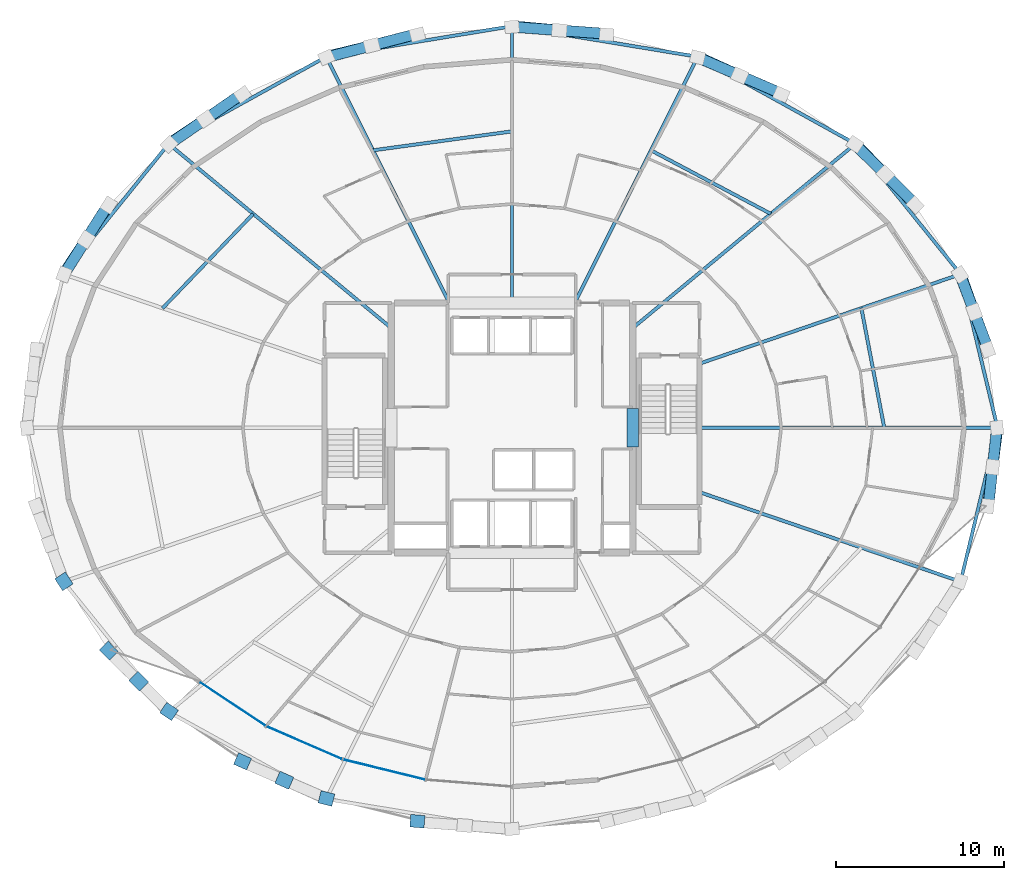
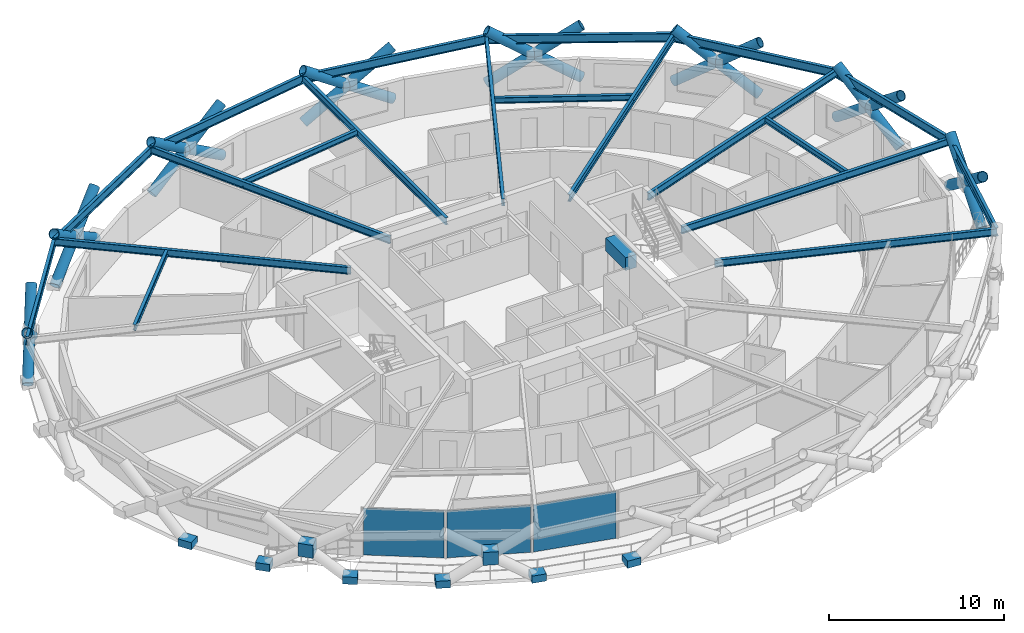
# One storey, part 11 of 19: 24 members, 21 beams, 11 plates, 1 element without a shape of its own.
"""IFC4 building model written with IfcOpenShell, lengths in metres."""

from ifc_helpers import new_model, si_unit, direction, frame, origin, origin_2d, place, context, subcontext, project, spatial, rectangle, hollow_circle, i_section, extrude, material, layer, layer_set, material_profile, profile_set, type_object, element, aggregate, save


model = new_model("IFC4")

# Units and contexts
model_context = context("Model", 3, precision=1e-05, world=origin(), true_north=direction((0.0, 1.0)))
body_context = subcontext(model_context, "Body", "Model", "MODEL_VIEW")
ifc_project = project(units=[si_unit("LENGTHUNIT", "METRE"), si_unit("AREAUNIT", "SQUARE_METRE"), si_unit("VOLUMEUNIT", "CUBIC_METRE"), si_unit("PLANEANGLEUNIT", "RADIAN"), si_unit("MASSUNIT", "GRAM", prefix="KILO")], contexts=[model_context])

# Site, building, storey
site_placement = place(None, origin())
site = spatial("IfcSite", under=ifc_project, at=site_placement, CompositionType="ELEMENT")
building_placement = place(site_placement, origin())
building = spatial("IfcBuilding", under=site, at=building_placement, Name="Veldorina Hangang Commons", CompositionType="ELEMENT")
storey_placement = place(building_placement, frame((0.0, 0.0, 70.0)))
storey = spatial("IfcBuildingStorey", under=building, at=storey_placement, Name="L17", CompositionType="ELEMENT", Elevation=70.0)

# Beams
ifc_material_1 = material(Name="Concrete C70/85", Category="concrete")
ifc_material_profile_1 = material_profile(ifc_material_1, rectangle(XDim=0.699951171875, YDim=0.89990234375, at=origin_2d()), Name="RC-CB-700x900")
ifc_profile_set_1 = profile_set([ifc_material_profile_1], Name="Concrete C70/85")
beam_type_1 = type_object("IfcBeamType", Name="BM-CB900", PredefinedType="LINTEL", material=ifc_profile_set_1)
beam_1_placement = place(storey_placement, frame((39.199951171875, 22.85009765625, 2.889892578125), z_axis=(0.0, 1.0, 0.0), x_axis=(-1.0, 0.0, 0.0)))
element("IfcBeam", 1, at=beam_1_placement, inside=storey, type_object=beam_type_1, Name="L17 E core coupling lintel beam", PredefinedType="LINTEL", context=body_context, shape_type="SweptSolid", body=[
    extrude(rectangle(XDim=0.699951171875, YDim=0.89990234375, at=origin_2d()), origin(), (0.0, 0.0, 1.0), 2.2998046875),
])
ifc_material_2 = material(Name="Steel SM420-TMC", Category="steel")
ifc_material_profile_2 = material_profile(ifc_material_2, i_section(OverallWidth=0.199951171875, OverallDepth=0.5, WebThickness=0.010009765625, FlangeThickness=0.01611328125, FilletRadius=0.01611328125, at=origin_2d()), Name="H-500x200x10x16")
ifc_profile_set_2 = profile_set([ifc_material_profile_2], Name="Steel SM420-TMC")
beam_type_2 = type_object("IfcBeamType", Name="BM-FG500", PredefinedType="BEAM", material=ifc_profile_set_2)
beam_2_placement = place(storey_placement, frame((43.179931640625, 24.0, 3.090087890625), z_axis=(1.0, 0.0, 0.0), x_axis=(0.0, 1.0, 0.0)))
element("IfcBeam", 2, at=beam_2_placement, inside=storey, type_object=beam_type_2, Name="L17 radial floor girder 01", PredefinedType="BEAM", context=body_context, shape_type="SweptSolid", body=[
    extrude(i_section(OverallWidth=0.199951171875, OverallDepth=0.5, WebThickness=0.010009765625, FlangeThickness=0.01611328125, FilletRadius=0.01611328125, at=origin_2d()), origin(), (0.0, 0.0, 1.0), 17.775146484375),
])
beam_3_placement = place(storey_placement, frame((43.179931640625, 27.831298828125, 3.090087890625), z_axis=(0.945997938589, 0.324172639476, 0.0), x_axis=(-0.324172639476, 0.945997938589, 0.0)))
element("IfcBeam", 3, at=beam_3_placement, inside=storey, type_object=beam_type_2, Name="L17 radial floor girder 02", PredefinedType="BEAM", context=body_context, shape_type="SweptSolid", body=[
    extrude(i_section(OverallWidth=0.199951171875, OverallDepth=0.5, WebThickness=0.010009765625, FlangeThickness=0.01611328125, FilletRadius=0.01611328125, at=origin_2d()), origin(), (0.0, 0.0, 1.0), 16.460205078125),
])
beam_4_placement = place(storey_placement, frame((39.199951171875, 29.956787109375, 3.090087890625), z_axis=(0.770495357235, 0.637445609036, 0.0), x_axis=(-0.637445609036, 0.770495357235, 0.0)))
element("IfcBeam", 4, at=beam_4_placement, inside=storey, type_object=beam_type_2, Name="L17 radial floor girder 03", PredefinedType="BEAM", context=body_context, shape_type="SweptSolid", body=[
    extrude(i_section(OverallWidth=0.199951171875, OverallDepth=0.5, WebThickness=0.010009765625, FlangeThickness=0.01611328125, FilletRadius=0.01611328125, at=origin_2d()), origin(), (0.0, 0.0, 1.0), 17.228515625),
])
beam_5_placement = place(storey_placement, frame((35.72998046875, 31.449951171875, 3.090087890625), z_axis=(0.447689354568, 0.894189153259, 0.0), x_axis=(-0.894189153259, 0.447689354568, 0.0)))
element("IfcBeam", 5, at=beam_5_placement, inside=storey, type_object=beam_type_2, Name="L17 radial floor girder 04", PredefinedType="BEAM", context=body_context, shape_type="SweptSolid", body=[
    extrude(i_section(OverallWidth=0.199951171875, OverallDepth=0.5, WebThickness=0.010009765625, FlangeThickness=0.01611328125, FilletRadius=0.01611328125, at=origin_2d()), origin(), (0.0, 0.0, 1.0), 16.4189453125),
])
beam_6_placement = place(storey_placement, frame((32.0, 31.449951171875, 3.090087890625), z_axis=(0.0, 1.0, 0.0), x_axis=(-1.0, 0.0, 0.0)))
element("IfcBeam", 6, at=beam_6_placement, inside=storey, type_object=beam_type_2, Name="L17 radial floor girder 05", PredefinedType="BEAM", context=body_context, shape_type="SweptSolid", body=[
    extrude(i_section(OverallWidth=0.199951171875, OverallDepth=0.5, WebThickness=0.010009765625, FlangeThickness=0.01611328125, FilletRadius=0.01611328125, at=origin_2d()), origin(), (0.0, 0.0, 1.0), 16.505126953125),
])
beam_7_placement = place(storey_placement, frame((28.27001953125, 31.449951171875, 3.090087890625), z_axis=(-0.447689354568, 0.894189153259, 0.0), x_axis=(-0.894189153259, -0.447689354568, 0.0)))
element("IfcBeam", 7, at=beam_7_placement, inside=storey, type_object=beam_type_2, Name="L17 radial floor girder 06", PredefinedType="BEAM", context=body_context, shape_type="SweptSolid", body=[
    extrude(i_section(OverallWidth=0.199951171875, OverallDepth=0.5, WebThickness=0.010009765625, FlangeThickness=0.01611328125, FilletRadius=0.01611328125, at=origin_2d()), origin(), (0.0, 0.0, 1.0), 16.4189453125),
])
beam_8_placement = place(storey_placement, frame((24.800048828125, 29.956787109375, 3.090087890625), z_axis=(-0.770495357235, 0.637445609036, 0.0), x_axis=(-0.637445609036, -0.770495357235, 0.0)))
element("IfcBeam", 8, at=beam_8_placement, inside=storey, type_object=beam_type_2, Name="L17 radial floor girder 07", PredefinedType="BEAM", context=body_context, shape_type="SweptSolid", body=[
    extrude(i_section(OverallWidth=0.199951171875, OverallDepth=0.5, WebThickness=0.010009765625, FlangeThickness=0.01611328125, FilletRadius=0.01611328125, at=origin_2d()), origin(), (0.0, 0.0, 1.0), 17.228515625),
])
beam_9_placement = place(storey_placement, frame((43.179931640625, 20.168701171875, 3.090087890625), z_axis=(0.945997938589, -0.324172639476, 0.0), x_axis=(0.324172639476, 0.945997938589, 0.0)))
element("IfcBeam", 9, at=beam_9_placement, inside=storey, type_object=beam_type_2, Name="L17 radial floor girder 16", PredefinedType="BEAM", context=body_context, shape_type="SweptSolid", body=[
    extrude(i_section(OverallWidth=0.199951171875, OverallDepth=0.5, WebThickness=0.010009765625, FlangeThickness=0.01611328125, FilletRadius=0.01611328125, at=origin_2d()), origin(), (0.0, 0.0, 1.0), 16.460205078125),
])
ifc_material_3 = material(Name="Steel SM355-TMC", Category="steel")
ifc_material_profile_3 = material_profile(ifc_material_3, i_section(OverallWidth=0.199951171875, OverallDepth=0.39990234375, WebThickness=0.008056640625, FlangeThickness=0.012939453125, FilletRadius=0.012939453125, at=origin_2d()), Name="H-400x200x8x13")
ifc_profile_set_3 = profile_set([ifc_material_profile_3], Name="Steel SM355-TMC")
beam_type_3 = type_object("IfcBeamType", Name="BM-JST400", PredefinedType="JOIST", material=ifc_profile_set_3)
beam_10_placement = place(storey_placement, frame((54.20068359375, 24.0, 3.139892578125), z_axis=(-0.188016434996, 0.982165882207, 0.0), x_axis=(-0.982165882207, -0.188016434996, 0.0)))
element("IfcBeam", 10, at=beam_10_placement, inside=storey, type_object=beam_type_3, Name="L17 secondary floor joist 01", PredefinedType="JOIST", context=body_context, shape_type="SweptSolid", body=[
    extrude(i_section(OverallWidth=0.199951171875, OverallDepth=0.39990234375, WebThickness=0.008056640625, FlangeThickness=0.012939453125, FilletRadius=0.012939453125, at=origin_2d()), origin(), (0.0, 0.0, 1.0), 7.26904296875),
])
beam_11_placement = place(storey_placement, frame((47.43017578125, 36.765625, 3.139892578125), z_axis=(-0.88350054314, 0.468430133821, 0.0), x_axis=(-0.468430133821, -0.88350054314, 0.0)))
element("IfcBeam", 11, at=beam_11_placement, inside=storey, type_object=beam_type_3, Name="L17 secondary floor joist 03", PredefinedType="JOIST", context=body_context, shape_type="SweptSolid", body=[
    extrude(i_section(OverallWidth=0.199951171875, OverallDepth=0.39990234375, WebThickness=0.008056640625, FlangeThickness=0.012939453125, FilletRadius=0.012939453125, at=origin_2d()), origin(), (0.0, 0.0, 1.0), 8.084716796875),
])
beam_12_placement = place(storey_placement, frame((32.0, 41.68310546875, 3.139892578125), z_axis=(-0.990825726969, -0.135145768622, 0.0), x_axis=(0.135145768622, -0.990825726969, 0.0)))
element("IfcBeam", 12, at=beam_12_placement, inside=storey, type_object=beam_type_3, Name="L17 secondary floor joist 05", PredefinedType="JOIST", context=body_context, shape_type="SweptSolid", body=[
    extrude(i_section(OverallWidth=0.199951171875, OverallDepth=0.39990234375, WebThickness=0.008056640625, FlangeThickness=0.012939453125, FilletRadius=0.012939453125, at=origin_2d()), origin(), (0.0, 0.0, 1.0), 8.364013671875),
])
beam_13_placement = place(storey_placement, frame((16.56982421875, 36.765625, 3.139892578125), z_axis=(-0.692707701543, -0.721218441405, 0.0), x_axis=(0.721218441405, -0.692707701543, 0.0)))
element("IfcBeam", 13, at=beam_13_placement, inside=storey, type_object=beam_type_3, Name="L17 secondary floor joist 07", PredefinedType="JOIST", context=body_context, shape_type="SweptSolid", body=[
    extrude(i_section(OverallWidth=0.199951171875, OverallDepth=0.39990234375, WebThickness=0.008056640625, FlangeThickness=0.012939453125, FilletRadius=0.012939453125, at=origin_2d()), origin(), (0.0, 0.0, 1.0), 7.801025390625),
])
ifc_material_profile_4 = material_profile(ifc_material_2, i_section(OverallWidth=0.199951171875, OverallDepth=0.60009765625, WebThickness=0.010986328125, FlangeThickness=0.01708984375, FilletRadius=0.01806640625, at=origin_2d()), Name="H-600x200x11x17")
ifc_profile_set_4 = profile_set([ifc_material_profile_4], Name="Steel SM420-TMC")
beam_type_4 = type_object("IfcBeamType", Name="BM-RB600", PredefinedType="BEAM", material=ifc_profile_set_4)
beam_14_placement = place(storey_placement, frame((60.955078125, 24.0, 3.0400390625), z_axis=(-0.233746068928, 0.972297678317, 0.0), x_axis=(-0.972297678317, -0.233746068928, 0.0)))
element("IfcBeam", 14, at=beam_14_placement, inside=storey, type_object=beam_type_4, Name="L17 perimeter hoop ring beam 00", PredefinedType="BEAM", context=body_context, shape_type="SweptSolid", body=[
    extrude(i_section(OverallWidth=0.199951171875, OverallDepth=0.60009765625, WebThickness=0.010986328125, FlangeThickness=0.01708984375, FilletRadius=0.01806640625, at=origin_2d()), origin(), (0.0, 0.0, 1.0), 9.428466796875),
])
beam_15_placement = place(storey_placement, frame((58.751220703125, 33.167236328125, 3.0400390625), z_axis=(-0.628318334852, 0.77795634202, 0.0), x_axis=(-0.77795634202, -0.628318334852, 0.0)))
element("IfcBeam", 15, at=beam_15_placement, inside=storey, type_object=beam_type_4, Name="L17 perimeter hoop ring beam 02", PredefinedType="BEAM", context=body_context, shape_type="SweptSolid", body=[
    extrude(i_section(OverallWidth=0.199951171875, OverallDepth=0.60009765625, WebThickness=0.010986328125, FlangeThickness=0.01708984375, FilletRadius=0.01806640625, at=origin_2d()), origin(), (0.0, 0.0, 1.0), 9.989990234375),
])
beam_16_placement = place(storey_placement, frame((52.474365234375, 40.93896484375, 3.0400390625), z_axis=(-0.87518958312, 0.483780108724, 0.0), x_axis=(-0.483780108724, -0.87518958312, 0.0)))
element("IfcBeam", 16, at=beam_16_placement, inside=storey, type_object=beam_type_4, Name="L17 perimeter hoop ring beam 04", PredefinedType="BEAM", context=body_context, shape_type="SweptSolid", body=[
    extrude(i_section(OverallWidth=0.199951171875, OverallDepth=0.60009765625, WebThickness=0.010986328125, FlangeThickness=0.01708984375, FilletRadius=0.01806640625, at=origin_2d()), origin(), (0.0, 0.0, 1.0), 10.7333984375),
])
for number, where, z_axis, x_axis, name in (
    (17, (43.08056640625, 46.131591796875, 3.0400390625), (-0.986727963454, 0.162382037611, 0.0), (-0.162382037611, -0.986727963454, 0.0), "L17 perimeter hoop ring beam 06"),
    (18, (32.0, 47.955078125, 3.0400390625), (-0.986727963454, -0.162382037611, 0.0), (0.162382037611, -0.986727963454, 0.0), "L17 perimeter hoop ring beam 08"),
):
    element("IfcBeam", number, at=place(storey_placement, frame(where, z_axis=z_axis, x_axis=x_axis)), inside=storey, type_object=beam_type_4, Name=name, PredefinedType="BEAM", context=body_context, shape_type="SweptSolid", body=[
        extrude(i_section(OverallWidth=0.199951171875, OverallDepth=0.60009765625, WebThickness=0.010986328125, FlangeThickness=0.01708984375, FilletRadius=0.01806640625, at=origin_2d()), origin(), (0.0, 0.0, 1.0), 11.2294921875),
    ])
beam_17_placement = place(storey_placement, frame((20.91943359375, 46.131591796875, 3.0400390625), z_axis=(-0.87518958312, -0.483780108724, 0.0), x_axis=(0.483780108724, -0.87518958312, 0.0)))
element("IfcBeam", 19, at=beam_17_placement, inside=storey, type_object=beam_type_4, Name="L17 perimeter hoop ring beam 10", PredefinedType="BEAM", context=body_context, shape_type="SweptSolid", body=[
    extrude(i_section(OverallWidth=0.199951171875, OverallDepth=0.60009765625, WebThickness=0.010986328125, FlangeThickness=0.01708984375, FilletRadius=0.01806640625, at=origin_2d()), origin(), (0.0, 0.0, 1.0), 10.7333984375),
])
beam_18_placement = place(storey_placement, frame((11.525634765625, 40.93896484375, 3.0400390625), z_axis=(-0.628318334852, -0.77795634202, 0.0), x_axis=(0.77795634202, -0.628318334852, 0.0)))
element("IfcBeam", 20, at=beam_18_placement, inside=storey, type_object=beam_type_4, Name="L17 perimeter hoop ring beam 12", PredefinedType="BEAM", context=body_context, shape_type="SweptSolid", body=[
    extrude(i_section(OverallWidth=0.199951171875, OverallDepth=0.60009765625, WebThickness=0.010986328125, FlangeThickness=0.01708984375, FilletRadius=0.01806640625, at=origin_2d()), origin(), (0.0, 0.0, 1.0), 9.989990234375),
])
beam_19_placement = place(storey_placement, frame((58.751220703125, 14.832763671875, 3.0400390625), z_axis=(0.233746068928, 0.972297678317, 0.0), x_axis=(-0.972297678317, 0.233746068928, 0.0)))
element("IfcBeam", 21, at=beam_19_placement, inside=storey, type_object=beam_type_4, Name="L17 perimeter hoop ring beam 30", PredefinedType="BEAM", context=body_context, shape_type="SweptSolid", body=[
    extrude(i_section(OverallWidth=0.199951171875, OverallDepth=0.60009765625, WebThickness=0.010986328125, FlangeThickness=0.01708984375, FilletRadius=0.01806640625, at=origin_2d()), origin(), (0.0, 0.0, 1.0), 9.428466796875),
])

# Members
ifc_material_4 = material(Name="Steel SM460-TMC", Category="steel")
ifc_material_profile_5 = material_profile(ifc_material_4, hollow_circle(Radius=0.324951171875, WallThickness=0.031982421875, at=origin_2d()), Name="CHS-650x32")
ifc_profile_set_5 = profile_set([ifc_material_profile_5], Name="Steel SM460-TMC")
member_type = type_object("IfcMemberType", Name="DG-CHS650", PredefinedType="BRACE", material=ifc_profile_set_5)
member_1_placement = place(storey_placement, frame((60.360107421875, 28.665771484375, 0.0), z_axis=(-0.267736396922, 0.752623615239, 0.601560400581), x_axis=(-0.942160587155, -0.335161793783, 0.0)))
element("IfcMember", 22, at=member_1_placement, inside=storey, type_object=member_type, Name="L17 continuous perimeter diagrid brace 01", PredefinedType="BRACE", context=body_context, shape_type="SweptSolid", body=[
    extrude(hollow_circle(Radius=0.324951171875, WallThickness=0.031982421875, at=origin_2d()), origin(), (0.0, 0.0, 1.0), 5.984619140625),
])
member_2_placement = place(storey_placement, frame((58.714599609375, 33.152099609375, 0.0), z_axis=(0.282530827503, -0.747539682243, 0.601132892947), x_axis=(0.935419566982, 0.3535395787, 0.0)))
element("IfcMember", 23, at=member_2_placement, inside=storey, type_object=member_type, Name="L17 split perimeter diagrid lower brace 02", PredefinedType="BRACE", context=body_context, shape_type="SweptSolid", body=[
    extrude(hollow_circle(Radius=0.324951171875, WallThickness=0.031982421875, at=origin_2d()), origin(), (0.0, 0.0, 1.0), 2.99169921875),
])
member_3_placement = place(storey_placement, frame((59.559814453125, 30.915771484375, 1.79833984375), z_axis=(0.282310094969, -0.747641189187, 0.601110358013), x_axis=(0.935526742432, 0.353255876377, 0.0)))
element("IfcMember", 24, at=member_3_placement, inside=storey, type_object=member_type, Name="L17 split perimeter diagrid upper brace 02", PredefinedType="BRACE", context=body_context, shape_type="SweptSolid", body=[
    extrude(hollow_circle(Radius=0.324951171875, WallThickness=0.031982421875, at=origin_2d()), origin(), (0.0, 0.0, 1.0), 2.997314453125),
])
member_4_placement = place(storey_placement, frame((56.04248046875, 37.286865234375, 0.0), z_axis=(-0.570308888505, 0.585393117021, 0.576248791962), x_axis=(-0.716274934677, -0.697818184024, 0.0)))
element("IfcMember", 25, at=member_4_placement, inside=storey, type_object=member_type, Name="L17 continuous perimeter diagrid brace 03", PredefinedType="BRACE", context=body_context, shape_type="SweptSolid", body=[
    extrude(hollow_circle(Radius=0.324951171875, WallThickness=0.031982421875, at=origin_2d()), origin(), (0.0, 0.0, 1.0), 6.24755859375),
])
member_5_placement = place(storey_placement, frame((52.446533203125, 40.910888671875, 0.0), z_axis=(0.581276548972, -0.575181701436, 0.575572396791), x_axis=(0.703370369088, 0.710823553274, 0.0)))
element("IfcMember", 26, at=member_5_placement, inside=storey, type_object=member_type, Name="L17 split perimeter diagrid lower brace 04", PredefinedType="BRACE", context=body_context, shape_type="SweptSolid", body=[
    extrude(hollow_circle(Radius=0.324951171875, WallThickness=0.031982421875, at=origin_2d()), origin(), (0.0, 0.0, 1.0), 3.12451171875),
])
member_6_placement = place(storey_placement, frame((54.2626953125, 39.11376953125, 1.79833984375), z_axis=(0.581010368603, -0.575394481029, 0.575628476344), x_axis=(0.703664537305, 0.710532348975, 0.0)))
element("IfcMember", 27, at=member_6_placement, inside=storey, type_object=member_type, Name="L17 split perimeter diagrid upper brace 04", PredefinedType="BRACE", context=body_context, shape_type="SweptSolid", body=[
    extrude(hollow_circle(Radius=0.324951171875, WallThickness=0.031982421875, at=origin_2d()), origin(), (0.0, 0.0, 1.0), 3.130126953125),
])
member_7_placement = place(storey_placement, frame((48.064697265625, 43.88525390625, 0.0), z_axis=(-0.76095570114, 0.344207232555, 0.549970728276), x_axis=(-0.412133447397, -0.91112349412, 0.0)))
element("IfcMember", 28, at=member_7_placement, inside=storey, type_object=member_type, Name="L17 continuous perimeter diagrid brace 05", PredefinedType="BRACE", context=body_context, shape_type="SweptSolid", body=[
    extrude(hollow_circle(Radius=0.324951171875, WallThickness=0.031982421875, at=origin_2d()), origin(), (0.0, 0.0, 1.0), 6.5458984375),
])
member_8_placement = place(storey_placement, frame((43.065673828125, 46.09521484375, 0.0), z_axis=(0.76701383022, -0.331256289021, 0.549508011984), x_axis=(0.396482189889, 0.918042413563, 0.0)))
element("IfcMember", 29, at=member_8_placement, inside=storey, type_object=member_type, Name="L17 split perimeter diagrid lower brace 06", PredefinedType="BRACE", context=body_context, shape_type="SweptSolid", body=[
    extrude(hollow_circle(Radius=0.324951171875, WallThickness=0.031982421875, at=origin_2d()), origin(), (0.0, 0.0, 1.0), 3.273193359375),
])
member_9_placement = place(storey_placement, frame((45.576171875, 45.010986328125, 1.798583984375), z_axis=(0.766919557399, -0.33152013492, 0.549480475196), x_axis=(0.396789387232, 0.91790968084, 0.0)))
element("IfcMember", 30, at=member_9_placement, inside=storey, type_object=member_type, Name="L17 split perimeter diagrid upper brace 06", PredefinedType="BRACE", context=body_context, shape_type="SweptSolid", body=[
    extrude(hollow_circle(Radius=0.324951171875, WallThickness=0.031982421875, at=origin_2d()), origin(), (0.0, 0.0, 1.0), 3.278564453125),
])
member_10_placement = place(storey_placement, frame((37.64111328125, 47.456298828125, 0.0), z_axis=(-0.840563324902, 0.075412783369, 0.536438448412), x_axis=(-0.089358050025, -0.995999567719, 0.0)))
element("IfcMember", 31, at=member_10_placement, inside=storey, type_object=member_type, Name="L17 continuous perimeter diagrid brace 07", PredefinedType="BRACE", context=body_context, shape_type="SweptSolid", body=[
    extrude(hollow_circle(Radius=0.324951171875, WallThickness=0.031982421875, at=origin_2d()), origin(), (0.0, 0.0, 1.0), 6.711181640625),
])
member_11_placement = place(storey_placement, frame((32.0, 47.915771484375, 0.0), z_axis=(0.841768275153, -0.061660272339, 0.536306052326), x_axis=(0.07305515292, 0.997327902263, 0.0)))
element("IfcMember", 32, at=member_11_placement, inside=storey, type_object=member_type, Name="L17 split perimeter diagrid lower brace 08", PredefinedType="BRACE", context=body_context, shape_type="SweptSolid", body=[
    extrude(hollow_circle(Radius=0.324951171875, WallThickness=0.031982421875, at=origin_2d()), origin(), (0.0, 0.0, 1.0), 3.353759765625),
])
member_12_placement = place(storey_placement, frame((34.822998046875, 47.708984375, 1.798583984375), z_axis=(0.841752023965, -0.061635930949, 0.536334356691), x_axis=(0.073027869404, 0.997329900429, 0.0)))
element("IfcMember", 33, at=member_12_placement, inside=storey, type_object=member_type, Name="L17 split perimeter diagrid upper brace 08", PredefinedType="BRACE", context=body_context, shape_type="SweptSolid", body=[
    extrude(hollow_circle(Radius=0.324951171875, WallThickness=0.031982421875, at=origin_2d()), origin(), (0.0, 0.0, 1.0), 3.35888671875),
])
member_13_placement = place(storey_placement, frame((26.35888671875, 47.456298828125, 0.0), z_axis=(-0.817530231241, -0.19796465944, 0.540790453521), x_axis=(0.235347952117, -0.971911179807, 0.0)))
element("IfcMember", 34, at=member_13_placement, inside=storey, type_object=member_type, Name="L17 continuous perimeter diagrid brace 09", PredefinedType="BRACE", context=body_context, shape_type="SweptSolid", body=[
    extrude(hollow_circle(Radius=0.324951171875, WallThickness=0.031982421875, at=origin_2d()), origin(), (0.0, 0.0, 1.0), 6.656982421875),
])
member_14_placement = place(storey_placement, frame((20.934326171875, 46.09521484375, 0.0), z_axis=(0.813959429449, 0.211385601692, 0.541097195159), x_axis=(-0.251362236231, 0.96789308614, 0.0)))
element("IfcMember", 35, at=member_14_placement, inside=storey, type_object=member_type, Name="L17 split perimeter diagrid lower brace 10", PredefinedType="BRACE", context=body_context, shape_type="SweptSolid", body=[
    extrude(hollow_circle(Radius=0.324951171875, WallThickness=0.031982421875, at=origin_2d()), origin(), (0.0, 0.0, 1.0), 3.323974609375),
])
member_15_placement = place(storey_placement, frame((23.639892578125, 46.7978515625, 1.798583984375), z_axis=(0.813916851648, 0.211490782967, 0.541120141302), x_axis=(-0.251491724494, 0.967859448738, 0.0)))
element("IfcMember", 36, at=member_15_placement, inside=storey, type_object=member_type, Name="L17 split perimeter diagrid upper brace 10", PredefinedType="BRACE", context=body_context, shape_type="SweptSolid", body=[
    extrude(hollow_circle(Radius=0.324951171875, WallThickness=0.031982421875, at=origin_2d()), origin(), (0.0, 0.0, 1.0), 3.329345703125),
])
member_16_placement = place(storey_placement, frame((15.935302734375, 43.88525390625, 0.0), z_axis=(-0.688622841863, -0.458764551011, 0.561545784777), x_axis=(0.554434652795, -0.832227262098, 0.0)))
element("IfcMember", 37, at=member_16_placement, inside=storey, type_object=member_type, Name="L17 continuous perimeter diagrid brace 11", PredefinedType="BRACE", context=body_context, shape_type="SweptSolid", body=[
    extrude(hollow_circle(Radius=0.324951171875, WallThickness=0.031982421875, at=origin_2d()), origin(), (0.0, 0.0, 1.0), 6.4111328125),
])
member_17_placement = place(storey_placement, frame((11.553466796875, 40.910888671875, 0.0), z_axis=(0.680201793803, 0.470433482027, 0.562154657274), x_axis=(-0.568821289896, 0.822461148116, 0.0)))
element("IfcMember", 38, at=member_17_placement, inside=storey, type_object=member_type, Name="L17 split perimeter diagrid lower brace 12", PredefinedType="BRACE", context=body_context, shape_type="SweptSolid", body=[
    extrude(hollow_circle(Radius=0.324951171875, WallThickness=0.031982421875, at=origin_2d()), origin(), (0.0, 0.0, 1.0), 3.199462890625),
])
member_18_placement = place(storey_placement, frame((13.729736328125, 42.416015625, 1.798583984375), z_axis=(0.680132777972, 0.470562294975, 0.562130350432), x_axis=(-0.56896567704, 0.822361269972, 0.0)))
element("IfcMember", 39, at=member_18_placement, inside=storey, type_object=member_type, Name="L17 split perimeter diagrid upper brace 12", PredefinedType="BRACE", context=body_context, shape_type="SweptSolid", body=[
    extrude(hollow_circle(Radius=0.324951171875, WallThickness=0.031982421875, at=origin_2d()), origin(), (0.0, 0.0, 1.0), 3.204833984375),
])
member_19_placement = place(storey_placement, frame((7.95751953125, 37.286865234375, 0.0), z_axis=(-0.444700672722, -0.674248106826, 0.589602240601), x_axis=(0.834781877058, -0.55058080037, 0.0)))
element("IfcMember", 40, at=member_19_placement, inside=storey, type_object=member_type, Name="L17 continuous perimeter diagrid brace 13", PredefinedType="BRACE", context=body_context, shape_type="SweptSolid", body=[
    extrude(hollow_circle(Radius=0.324951171875, WallThickness=0.031982421875, at=origin_2d()), origin(), (0.0, 0.0, 1.0), 6.10595703125),
])
member_20_placement = place(storey_placement, frame((5.285400390625, 33.152099609375, 0.0), z_axis=(0.431783111807, 0.682087517315, 0.590186379953), x_axis=(-0.844934207463, 0.534870250677, 0.0)))
element("IfcMember", 41, at=member_20_placement, inside=storey, type_object=member_type, Name="L17 split perimeter diagrid lower brace 14", PredefinedType="BRACE", context=body_context, shape_type="SweptSolid", body=[
    extrude(hollow_circle(Radius=0.324951171875, WallThickness=0.031982421875, at=origin_2d()), origin(), (0.0, 0.0, 1.0), 3.047119140625),
])
member_21_placement = place(storey_placement, frame((6.60107421875, 35.23046875, 1.79833984375), z_axis=(0.431641435749, 0.682132630257, 0.590237872119), x_axis=(-0.845029500139, 0.534719687214, 0.0)))
element("IfcMember", 42, at=member_21_placement, inside=storey, type_object=member_type, Name="L17 split perimeter diagrid upper brace 14", PredefinedType="BRACE", context=body_context, shape_type="SweptSolid", body=[
    extrude(hollow_circle(Radius=0.324951171875, WallThickness=0.031982421875, at=origin_2d()), origin(), (0.0, 0.0, 1.0), 3.052490234375),
])
member_22_placement = place(storey_placement, frame((60.360107421875, 19.334228515625, 0.0), z_axis=(0.101671600368, 0.787614898512, 0.60772169397), x_axis=(-0.991770853704, 0.128025676107, 0.0)))
element("IfcMember", 43, at=member_22_placement, inside=storey, type_object=member_type, Name="L17 continuous perimeter diagrid brace 31", PredefinedType="BRACE", context=body_context, shape_type="SweptSolid", body=[
    extrude(hollow_circle(Radius=0.324951171875, WallThickness=0.031982421875, at=origin_2d()), origin(), (0.0, 0.0, 1.0), 5.923828125),
])
member_23_placement = place(storey_placement, frame((60.915771484375, 24.0, 0.0), z_axis=(-0.0861554141, -0.789345340864, 0.607874310591), x_axis=(0.994096063463, -0.108503532698, 0.0)))
element("IfcMember", 44, at=member_23_placement, inside=storey, type_object=member_type, Name="L17 split perimeter diagrid lower brace 00", PredefinedType="BRACE", context=body_context, shape_type="SweptSolid", body=[
    extrude(hollow_circle(Radius=0.324951171875, WallThickness=0.031982421875, at=origin_2d()), origin(), (0.0, 0.0, 1.0), 2.95849609375),
])
member_24_placement = place(storey_placement, frame((60.660888671875, 21.664794921875, 1.79833984375), z_axis=(-0.085994188853, -0.789350873351, 0.607889955685), x_axis=(0.994118026553, -0.108302120393, 0.0)))
element("IfcMember", 45, at=member_24_placement, inside=storey, type_object=member_type, Name="L17 split perimeter diagrid upper brace 00", PredefinedType="BRACE", context=body_context, shape_type="SweptSolid", body=[
    extrude(hollow_circle(Radius=0.324951171875, WallThickness=0.031982421875, at=origin_2d()), origin(), (0.0, 0.0, 1.0), 2.9638671875),
])

# Curtain wall, plates
ifc_material_5 = material(Name="Glass Low-E Triple IGU", Category="glass")
ifc_layer_1 = layer(ifc_material_5, 0.179931640625)
ifc_layer_set_1 = layer_set([ifc_layer_1], Name="Glass Low-E Triple IGU")
curtain_wall_type = type_object("IfcCurtainWallType", Name="CW-SYS-Z1", PredefinedType="NOTDEFINED", material=ifc_layer_set_1)
curtain_wall_placement = place(storey_placement, origin())
curtain_wall = element("IfcCurtainWall", 46, at=curtain_wall_placement, inside=storey, type_object=curtain_wall_type, Name="L17 unitised curtain wall CW-L17-R1", PredefinedType="NOTDEFINED")
ifc_layer_2 = layer(ifc_material_5, 0.0400390625)
ifc_layer_set_2 = layer_set([ifc_layer_2], Name="Glass Low-E Triple IGU")
plate_type_1 = type_object("IfcPlateType", Name="CW-PNL-VIS", PredefinedType="CURTAIN_PANEL", material=ifc_layer_set_2)
plate_1_placement = place(storey_placement, frame((15.33544921875, 7.540283203125, 0.014892578125), z_axis=(0.0, 0.0, 1.0), x_axis=(0.832592704922, -0.553885717193, 0.0)))
plate_1 = element("IfcPlate", 47, at=plate_1_placement, type_object=plate_type_1, Name="CW-L17-R1 facet 1 glazed vision panel", PredefinedType="CURTAIN_PANEL", context=body_context, shape_type="SweptSolid", body=[
    extrude(rectangle(XDim=4.6240234375, YDim=0.0400390625, at=origin_2d()), origin(), (0.0, 0.0, 1.0), 3.27001953125),
])
plate_2_placement = place(storey_placement, frame((19.616943359375, 5.221435546875, 0.014892578125), z_axis=(0.0, 0.0, 1.0), x_axis=(0.917588188255, -0.39753228394, 0.0)))
plate_2 = element("IfcPlate", 48, at=plate_2_placement, type_object=plate_type_1, Name="CW-L17-R1 facet 2 glazed vision panel", PredefinedType="CURTAIN_PANEL", context=body_context, shape_type="SweptSolid", body=[
    extrude(rectangle(XDim=4.79345703125, YDim=0.0400390625, at=origin_2d()), origin(), (0.0, 0.0, 1.0), 3.27001953125),
])
plate_3_placement = place(storey_placement, frame((24.37451171875, 3.6240234375, 0.014892578125), z_axis=(0.0, 0.0, 1.0), x_axis=(0.971071798717, -0.238787691761, 0.0)))
plate_3 = element("IfcPlate", 49, at=plate_3_placement, type_object=plate_type_1, Name="CW-L17-R1 facet 3 glazed vision panel", PredefinedType="CURTAIN_PANEL", context=body_context, shape_type="SweptSolid", body=[
    extrude(rectangle(XDim=4.919189453125, YDim=0.0400390625, at=origin_2d()), origin(), (0.0, 0.0, 1.0), 3.27001953125),
])
aggregate(curtain_wall, [plate_1, plate_2, plate_3])

# Plates
ifc_layer_3 = layer(ifc_material_4, 0.035888671875)
ifc_layer_set_3 = layer_set([ifc_layer_3], Name="Steel SM460-TMC")
plate_type_2 = type_object("IfcPlateType", Name="PL-STAR-36", PredefinedType="USERDEFINED", material=ifc_layer_set_3)
for number, where, z_axis, x_axis, name in (
    (50, (5.285400390625, 14.847900390625, -0.090087890625), (0.0, 0.0, 1.0), (0.542778728115, -0.839875736229, 0.0), "L17 diagrid star-node gusset plate 18"),
    (51, (7.95751953125, 10.713134765625, -0.090087890625), (0.0, 0.0, 1.0), (0.704349313248, -0.709853537659, 0.0), "L17 diagrid star-node gusset plate 19"),
):
    element("IfcPlate", number, at=place(storey_placement, frame(where, z_axis=z_axis, x_axis=x_axis)), inside=storey, type_object=plate_type_2, Name=name, ObjectType="GUSSET PLATE", PredefinedType="USERDEFINED", context=body_context, shape_type="SweptSolid", body=[
        extrude(rectangle(XDim=0.85009765625, YDim=0.75, at=origin_2d()), origin(), (0.0, 0.0, 1.0), 0.5),
    ])
plate_4_placement = place(storey_placement, frame((9.7373046875, 8.88623046875, 1.348388671875), z_axis=(0.0, 0.0, 1.0), x_axis=(0.704349313248, -0.709853537659, 0.0)))
element("IfcPlate", 52, at=plate_4_placement, inside=storey, type_object=plate_type_2, Name="L17 diagrid X-crossing star-node gusset plate 19", ObjectType="GUSSET PLATE", PredefinedType="USERDEFINED", context=body_context, shape_type="SweptSolid", body=[
    extrude(rectangle(XDim=0.89990234375, YDim=0.780029296875, at=origin_2d()), origin(), (0.0, 0.0, 1.0), 0.89990234375),
])
for number, where, z_axis, x_axis, name in (
    (53, (11.553466796875, 7.089111328125, -0.090087890625), (0.0, 0.0, 1.0), (0.827394371843, -0.561621361277, 0.0), "L17 diagrid star-node gusset plate 20"),
    (54, (15.935302734375, 4.11474609375, -0.090087890625), (0.0, 0.0, 1.0), (0.914614216786, -0.404327632561, 0.0), "L17 diagrid star-node gusset plate 21"),
):
    element("IfcPlate", number, at=place(storey_placement, frame(where, z_axis=z_axis, x_axis=x_axis)), inside=storey, type_object=plate_type_2, Name=name, ObjectType="GUSSET PLATE", PredefinedType="USERDEFINED", context=body_context, shape_type="SweptSolid", body=[
        extrude(rectangle(XDim=0.85009765625, YDim=0.75, at=origin_2d()), origin(), (0.0, 0.0, 1.0), 0.5),
    ])
plate_5_placement = place(storey_placement, frame((18.423828125, 2.989013671875, 1.3486328125), z_axis=(0.0, 0.0, 1.0), x_axis=(0.914614216786, -0.404327632561, 0.0)))
element("IfcPlate", 55, at=plate_5_placement, inside=storey, type_object=plate_type_2, Name="L17 diagrid X-crossing star-node gusset plate 21", ObjectType="GUSSET PLATE", PredefinedType="USERDEFINED", context=body_context, shape_type="SweptSolid", body=[
    extrude(rectangle(XDim=0.89990234375, YDim=0.780029296875, at=origin_2d()), origin(), (0.0, 0.0, 1.0), 0.89990234375),
])
for number, where, z_axis, x_axis, name in (
    (56, (20.934326171875, 1.90478515625, -0.090087890625), (0.0, 0.0, 1.0), (0.969935760308, -0.243361091541, 0.0), "L17 diagrid star-node gusset plate 22"),
    (57, (26.35888671875, 0.543701171875, -0.090087890625), (0.0, 0.0, 1.0), (0.996698600301, -0.081190517659, 0.0), "L17 diagrid star-node gusset plate 23"),
):
    element("IfcPlate", number, at=place(storey_placement, frame(where, z_axis=z_axis, x_axis=x_axis)), inside=storey, type_object=plate_type_2, Name=name, ObjectType="GUSSET PLATE", PredefinedType="USERDEFINED", context=body_context, shape_type="SweptSolid", body=[
        extrude(rectangle(XDim=0.85009765625, YDim=0.75, at=origin_2d()), origin(), (0.0, 0.0, 1.0), 0.5),
    ])

save(model, "model.ifc")
